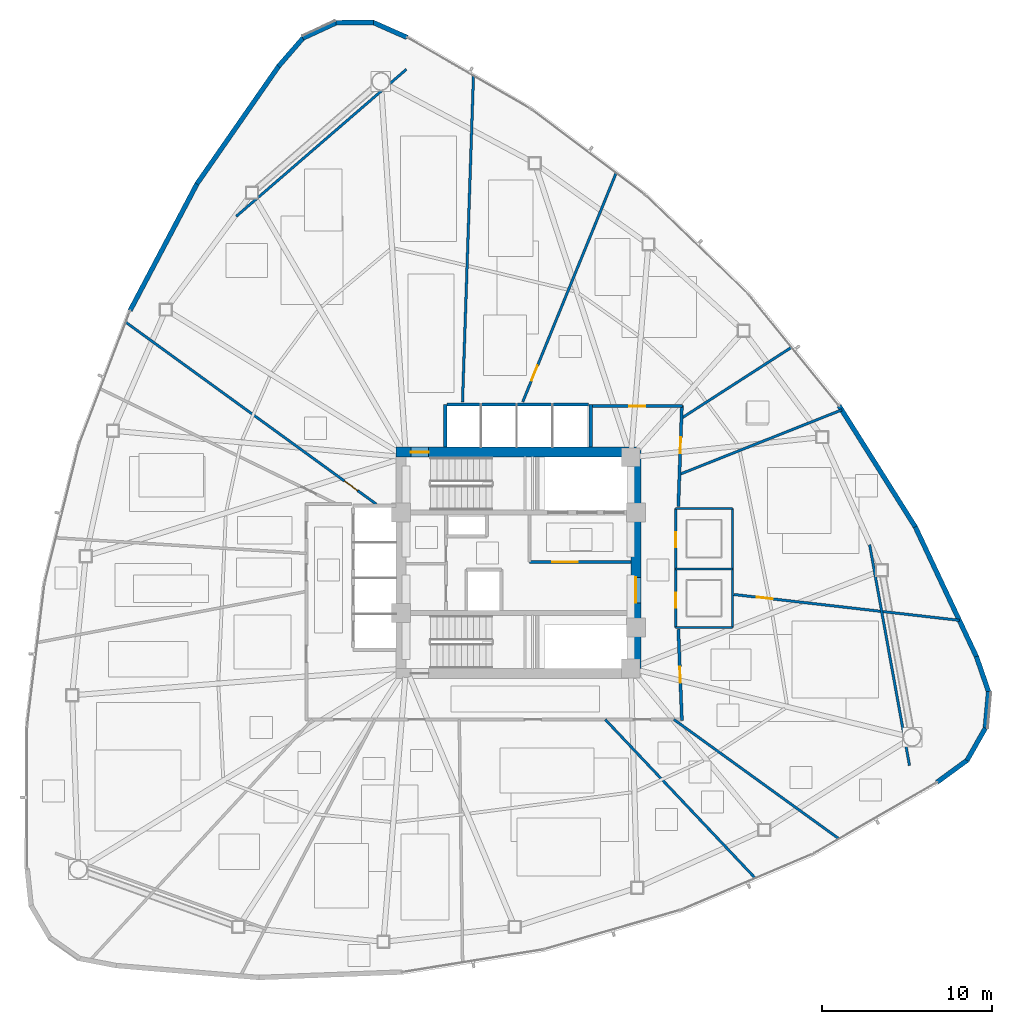
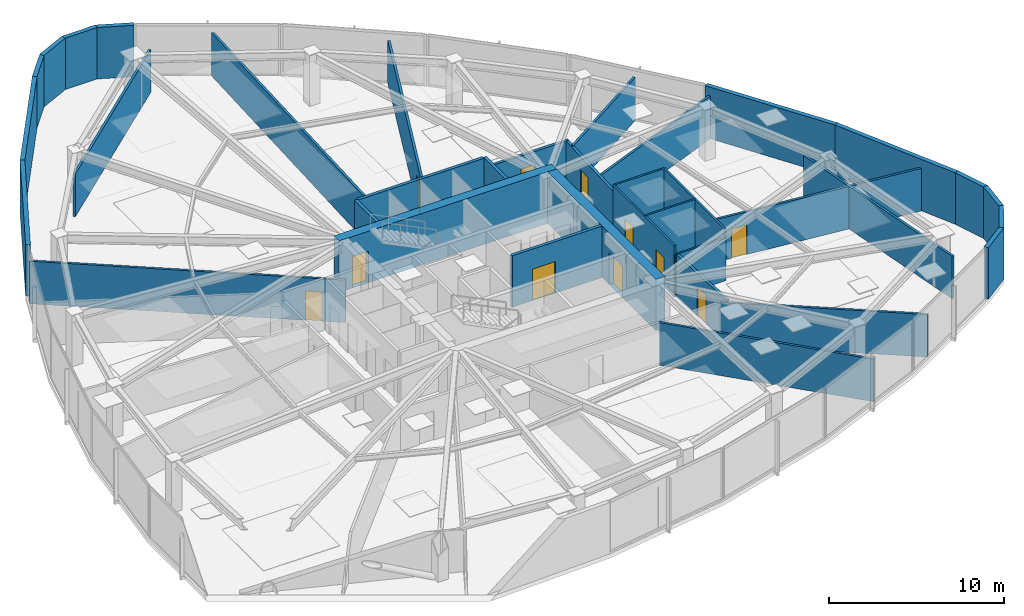
# One storey, part 12 of 17: 36 walls, 11 doors, 11 openings.
"""IFC4 building model written with IfcOpenShell, lengths in metres."""

from ifc_helpers import new_model, si_unit, direction, frame, frame_2d, origin, place, context, subcontext, project, spatial, rectangle, extrude, material, layer, layer_set, type_object, element, fill, save


model = new_model("IFC4")

# Units and contexts
model_context = context("Model", 3, precision=1e-05, world=origin(), true_north=direction((0.0, 1.0)))
body_context = subcontext(model_context, "Body", "Model", "MODEL_VIEW")
ifc_project = project(units=[si_unit("LENGTHUNIT", "METRE"), si_unit("AREAUNIT", "SQUARE_METRE"), si_unit("VOLUMEUNIT", "CUBIC_METRE"), si_unit("PLANEANGLEUNIT", "RADIAN"), si_unit("MASSUNIT", "GRAM", prefix="KILO")], contexts=[model_context])

# Site, building, storey
site_placement = place(None, origin())
site = spatial("IfcSite", under=ifc_project, at=site_placement, CompositionType="ELEMENT")
building_placement = place(site_placement, origin())
building = spatial("IfcBuilding", under=site, at=building_placement, Name="Tavelor Broadcast Tower", CompositionType="ELEMENT")
storey_placement = place(building_placement, frame((0.0, 0.0, 78.300048828125)))
storey = spatial("IfcBuildingStorey", under=building, at=storey_placement, Name="L18", CompositionType="ELEMENT", Elevation=78.300048828125)

# Wall, opening, door
ifc_material_1 = material(Name="Concrete C60/75", Category="concrete")
ifc_layer_1 = layer(ifc_material_1, 0.60009765625)
ifc_layer_set_1 = layer_set([ifc_layer_1], Name="Concrete C60/75")
wall_type_1 = type_object("IfcWallType", Name="Core Shear Wall 600 mm", PredefinedType="SHEAR", material=ifc_layer_set_1)
wall_1_placement = place(storey_placement, frame((42.800048828125, 51.5, 0.0), z_axis=(0.0, 0.0, 1.0), x_axis=(1.0, 0.0, 0.0)))
wall_1 = element("IfcWall", 1, at=wall_1_placement, inside=storey, type_object=wall_type_1, Name="L18 Central Core Shear Wall N", PredefinedType="SHEAR", context=body_context, shape_type="SweptSolid", body=[
    extrude(rectangle(XDim=14.39990234375, YDim=0.60009765625, at=frame_2d((7.199951171875, 0.0))), origin(), (0.0, 0.0, 1.0), 3.599853515625),
])
opening_1_placement = place(wall_1_placement, frame((0.8798828125, 0.0, 0.0)))
opening_1 = element("IfcOpeningElement", 2, at=opening_1_placement, cuts=wall_1, Name="Opening DR11", PredefinedType="OPENING", context=body_context, shape_type="SweptSolid", body=[
    extrude(rectangle(XDim=1.050048828125, YDim=2.199951171875, at=frame_2d((0.52490234375, 1.10009765625))), frame((0.0, 0.31005859375, 0.0), z_axis=(0.0, -1.0, 0.0), x_axis=(1.0, 0.0, 0.0)), (0.0, 0.0, 1.0), 0.6201171875),
])
ifc_material_2 = material(Name="Steel S355", Category="steel")
door_type_1 = type_object("IfcDoorType", Name="Stair Core Fire Escape Door 1050x2200", OperationType="NOTDEFINED", PredefinedType="DOOR", material=ifc_material_2)
door_1_placement = place(opening_1_placement, origin())
door_1 = element("IfcDoor", 3, at=door_1_placement, inside=storey, type_object=door_type_1, Name="L18 Stair ST1 Protected Exit Door", OperationType="SINGLE_SWING_LEFT", OverallHeight=2.199951171875, OverallWidth=1.050048828125, PredefinedType="DOOR", context=body_context, shape_type="SweptSolid", body=[
    extrude(rectangle(XDim=1.050048828125, YDim=2.199951171875, at=frame_2d((0.52490234375, 1.10009765625))), frame((0.0, 0.02490234375, 0.0), z_axis=(0.0, -1.0, 0.0), x_axis=(1.0, 0.0, 0.0)), (0.0, 0.0, 1.0), 0.050048828125),
])
fill(opening_1, door_1)

wall_2_placement = place(storey_placement, frame((56.89990234375, 38.800048828125, 0.0), z_axis=(0.0, 0.0, 1.0), x_axis=(0.0, 1.0, 0.0)))
wall_2 = element("IfcWall", 4, at=wall_2_placement, inside=storey, type_object=wall_type_1, Name="L18 Central Core Shear Wall E", PredefinedType="SHEAR", context=body_context, shape_type="SweptSolid", body=[
    extrude(rectangle(XDim=12.39990234375, YDim=0.60009765625, at=frame_2d((6.199951171875, 0.0))), origin(), (0.0, 0.0, 1.0), 3.599853515625),
])
opening_2_placement = place(wall_2_placement, frame((3.85009765625, 0.0, 0.0)))
opening_2 = element("IfcOpeningElement", 5, at=opening_2_placement, cuts=wall_2, Name="Opening DR14", PredefinedType="OPENING", context=body_context, shape_type="SweptSolid", body=[
    extrude(rectangle(XDim=1.5, YDim=2.199951171875, at=frame_2d((0.75, 1.10009765625))), frame((0.0, 0.31005859375, 0.0), z_axis=(0.0, -1.0, 0.0), x_axis=(1.0, 0.0, 0.0)), (0.0, 0.0, 1.0), 0.6201171875),
])
door_type_2 = type_object("IfcDoorType", Name="Firefighting Lobby Double Fire Door 1500x2200", OperationType="NOTDEFINED", PredefinedType="DOOR", material=ifc_material_2)
door_2_placement = place(opening_2_placement, origin())
door_2 = element("IfcDoor", 6, at=door_2_placement, inside=storey, type_object=door_type_2, Name="L18 Central Core Lobby Fire Door", OperationType="SINGLE_SWING_RIGHT", OverallHeight=2.199951171875, OverallWidth=1.5, PredefinedType="DOOR", context=body_context, shape_type="SweptSolid", body=[
    extrude(rectangle(XDim=1.5, YDim=2.199951171875, at=frame_2d((0.75, 1.10009765625))), frame((0.0, 0.02490234375, 0.0), z_axis=(0.0, -1.0, 0.0), x_axis=(1.0, 0.0, 0.0)), (0.0, 0.0, 1.0), 0.050048828125),
])
fill(opening_2, door_2)

ifc_material_3 = material(Name="Calcium Silicate Fire Board 180 mm", Category="gypsum")
ifc_layer_2 = layer(ifc_material_3, 0.179931640625)
ifc_layer_set_2 = layer_set([ifc_layer_2], Name="Calcium Silicate Fire Board 180 mm")
wall_type_2 = type_object("IfcWallType", Name="Fire-Rated Corridor Partition Wall 180 mm", PredefinedType="PARTITIONING", material=ifc_layer_set_2)
wall_3_placement = place(storey_placement, frame((54.300048828125, 54.199951171875, 0.0), z_axis=(0.0, 0.0, 1.0), x_axis=(1.0, 0.0, 0.0)))
wall_3 = element("IfcWall", 7, at=wall_3_placement, inside=storey, type_object=wall_type_2, Name="L18 Corridor Compartment Wall 01", PredefinedType="PARTITIONING", context=body_context, shape_type="SweptSolid", body=[
    extrude(rectangle(XDim=5.349853515625, YDim=0.179931640625, at=frame_2d((2.6748046875, 0.0))), origin(), (0.0, 0.0, 1.0), 2.974853515625),
])
opening_3_placement = place(wall_3_placement, frame((2.199951171875, 0.0, 0.0)))
opening_3 = element("IfcOpeningElement", 8, at=opening_3_placement, cuts=wall_3, Name="Opening DR18", PredefinedType="OPENING", context=body_context, shape_type="SweptSolid", body=[
    extrude(rectangle(XDim=0.949951171875, YDim=2.050048828125, at=frame_2d((0.47509765625, 1.02490234375))), frame((0.0, 0.10009765625, 0.0), z_axis=(0.0, -1.0, 0.0), x_axis=(1.0, 0.0, 0.0)), (0.0, 0.0, 1.0), 0.199951171875),
])
ifc_material_4 = material(Name="Timber Solid Core Hardwood", Category="wood")
door_type_3 = type_object("IfcDoorType", Name="Corridor Rated Compartment Door 950x2050", OperationType="NOTDEFINED", PredefinedType="DOOR", material=ifc_material_4)
door_3_placement = place(opening_3_placement, origin())
door_3 = element("IfcDoor", 9, at=door_3_placement, inside=storey, type_object=door_type_3, Name="L18 Standards Huddle Room Door R10", OperationType="SINGLE_SWING_RIGHT", OverallHeight=2.050048828125, OverallWidth=0.949951171875, PredefinedType="DOOR", context=body_context, shape_type="SweptSolid", body=[
    extrude(rectangle(XDim=0.949951171875, YDim=2.050048828125, at=frame_2d((0.47509765625, 1.02490234375))), frame((0.0, 0.02490234375, 0.0), z_axis=(0.0, -1.0, 0.0), x_axis=(1.0, 0.0, 0.0)), (0.0, 0.0, 1.0), 0.050048828125),
])
fill(opening_3, door_3)

wall_4_placement = place(storey_placement, frame((59.601806640625, 54.25, 0.0), z_axis=(0.0, 0.0, 1.0), x_axis=(-0.035265891834, -0.999377964973, 0.0)))
wall_4 = element("IfcWall", 10, at=wall_4_placement, inside=storey, type_object=wall_type_2, Name="L18 Corridor Compartment Wall 02", PredefinedType="PARTITIONING", context=body_context, shape_type="SweptSolid", body=[
    extrude(rectangle(XDim=5.95361328125, YDim=0.179931640625, at=frame_2d((2.976806640625, 0.0))), origin(), (0.0, 0.0, 1.0), 2.974853515625),
])
opening_4_placement = place(wall_4_placement, frame((1.876220703125, 0.0, 0.0)))
opening_4 = element("IfcOpeningElement", 11, at=opening_4_placement, cuts=wall_4, Name="Opening DR18", PredefinedType="OPENING", context=body_context, shape_type="SweptSolid", body=[
    extrude(rectangle(XDim=0.949951171875, YDim=2.050048828125, at=frame_2d((0.47509765625, 1.02490234375))), frame((0.0, 0.10009765625, 0.0), z_axis=(0.0, -1.0, 0.0), x_axis=(1.0, 0.0, 0.0)), (0.0, 0.0, 1.0), 0.199951171875),
])
door_4_placement = place(opening_4_placement, origin())
door_4 = element("IfcDoor", 12, at=door_4_placement, inside=storey, type_object=door_type_3, Name="L18 Editorial Coffee Pantry Door R11", OperationType="SINGLE_SWING_LEFT", OverallHeight=2.050048828125, OverallWidth=0.949951171875, PredefinedType="DOOR", context=body_context, shape_type="SweptSolid", body=[
    extrude(rectangle(XDim=0.949951171875, YDim=2.050048828125, at=frame_2d((0.47509765625, 1.02490234375))), frame((0.0, 0.02490234375, 0.0), z_axis=(0.0, -1.0, 0.0), x_axis=(1.0, 0.0, 0.0)), (0.0, 0.0, 1.0), 0.050048828125),
])
fill(opening_4, door_4)

wall_5_placement = place(storey_placement, frame((59.39208984375, 41.10009765625, 0.0), z_axis=(0.0, 0.0, 1.0), x_axis=(0.03921413315, -0.999230830069, 0.0)))
wall_5 = element("IfcWall", 13, at=wall_5_placement, inside=storey, type_object=wall_type_2, Name="L18 Corridor Compartment Wall 03", PredefinedType="PARTITIONING", context=body_context, shape_type="SweptSolid", body=[
    extrude(rectangle(XDim=5.354248046875, YDim=0.179931640625, at=frame_2d((2.67724609375, 0.0))), origin(), (0.0, 0.0, 1.0), 2.974853515625),
])
opening_5_placement = place(wall_5_placement, frame((2.201904296875, 0.0, 0.0)))
opening_5 = element("IfcOpeningElement", 14, at=opening_5_placement, cuts=wall_5, Name="Opening DR18", PredefinedType="OPENING", context=body_context, shape_type="SweptSolid", body=[
    extrude(rectangle(XDim=0.949951171875, YDim=2.050048828125, at=frame_2d((0.47509765625, 1.02490234375))), frame((0.0, 0.10009765625, 0.0), z_axis=(0.0, -1.0, 0.0), x_axis=(1.0, 0.0, 0.0)), (0.0, 0.0, 1.0), 0.199951171875),
])
door_5_placement = place(opening_5_placement, origin())
door_5 = element("IfcDoor", 15, at=door_5_placement, inside=storey, type_object=door_type_3, Name="L18 Broadcast Production Studio Door R13", OperationType="SINGLE_SWING_RIGHT", OverallHeight=2.050048828125, OverallWidth=0.949951171875, PredefinedType="DOOR", context=body_context, shape_type="SweptSolid", body=[
    extrude(rectangle(XDim=0.949951171875, YDim=2.050048828125, at=frame_2d((0.47509765625, 1.02490234375))), frame((0.0, 0.02490234375, 0.0), z_axis=(0.0, -1.0, 0.0), x_axis=(1.0, 0.0, 0.0)), (0.0, 0.0, 1.0), 0.050048828125),
])
fill(opening_5, door_5)

# Walls
ifc_material_5 = material(Name="Precast Concrete C40/50", Category="concrete")
ifc_layer_3 = layer(ifc_material_5, 0.280029296875)
ifc_layer_set_3 = layer_set([ifc_layer_3], Name="Precast Concrete C40/50")
wall_type_3 = type_object("IfcWallType", Name="Insulated Precast Terracotta Facade Wall 280 mm", PredefinedType="STANDARD", material=ifc_layer_set_3)
wall_6_placement = place(storey_placement, frame((43.459716796875, 75.855712890625, 0.0), z_axis=(0.0, 0.0, 1.0), x_axis=(-0.914607276656, 0.404343331203, 0.0)))
element("IfcWall", 16, at=wall_6_placement, inside=storey, type_object=wall_type_3, Name="L18 Rounded Corner Structural Cladding Pier 01", PredefinedType="STANDARD", context=body_context, shape_type="SweptSolid", body=[
    extrude(rectangle(XDim=2.196533203125, YDim=0.280029296875, at=frame_2d((1.09814453125, 0.0))), origin(), (0.0, 0.0, 1.0), 3.599853515625),
])
wall_7_placement = place(storey_placement, frame((41.4794921875, 76.738037109375, 0.0), z_axis=(0.0, 0.0, 1.0), x_axis=(-0.999968535551, -0.007932711288, 0.0)))
element("IfcWall", 17, at=wall_7_placement, inside=storey, type_object=wall_type_3, Name="L18 Rounded Corner Structural Cladding Pier 02", PredefinedType="STANDARD", context=body_context, shape_type="SweptSolid", body=[
    extrude(rectangle(XDim=2.18505859375, YDim=0.280029296875, at=frame_2d((1.092529296875, 0.0))), origin(), (0.0, 0.0, 1.0), 3.599853515625),
])
wall_8_placement = place(storey_placement, frame((39.3232421875, 76.727294921875, 0.0), z_axis=(0.0, 0.0, 1.0), x_axis=(-0.908126107748, -0.418696754735, 0.0)))
element("IfcWall", 18, at=wall_8_placement, inside=storey, type_object=wall_type_3, Name="L18 Rounded Corner Structural Cladding Pier 03", PredefinedType="STANDARD", context=body_context, shape_type="SweptSolid", body=[
    extrude(rectangle(XDim=2.184814453125, YDim=0.280029296875, at=frame_2d((1.09228515625, 0.0))), origin(), (0.0, 0.0, 1.0), 3.599853515625),
])
wall_9_placement = place(storey_placement, frame((37.3623046875, 75.830078125, 0.0), z_axis=(0.0, 0.0, 1.0), x_axis=(-0.655351461556, -0.755324077358, 0.0)))
element("IfcWall", 19, at=wall_9_placement, inside=storey, type_object=wall_type_3, Name="L18 Rounded Corner Structural Cladding Pier 04", PredefinedType="STANDARD", context=body_context, shape_type="SweptSolid", body=[
    extrude(rectangle(XDim=2.20751953125, YDim=0.280029296875, at=frame_2d((1.103759765625, 0.0))), origin(), (0.0, 0.0, 1.0), 3.599853515625),
])
wall_10_placement = place(storey_placement, frame((35.933837890625, 74.186279296875, 0.0), z_axis=(0.0, 0.0, 1.0), x_axis=(-0.570377390301, -0.821382756475, 0.0)))
element("IfcWall", 20, at=wall_10_placement, inside=storey, type_object=wall_type_3, Name="L18 Rounded Corner Structural Cladding Pier 05", PredefinedType="STANDARD", context=body_context, shape_type="SweptSolid", body=[
    extrude(rectangle(XDim=8.445556640625, YDim=0.280029296875, at=frame_2d((4.22265625, 0.0))), origin(), (0.0, 0.0, 1.0), 3.599853515625),
])
wall_11_placement = place(storey_placement, frame((31.13232421875, 67.27490234375, 0.0), z_axis=(0.0, 0.0, 1.0), x_axis=(-0.466778115756, -0.884374462912, 0.0)))
element("IfcWall", 21, at=wall_11_placement, inside=storey, type_object=wall_type_3, Name="L18 Rounded Corner Structural Cladding Pier 06", PredefinedType="STANDARD", context=body_context, shape_type="SweptSolid", body=[
    extrude(rectangle(XDim=8.433837890625, YDim=0.280029296875, at=frame_2d((4.216796875, 0.0))), origin(), (0.0, 0.0, 1.0), 3.599853515625),
])
wall_12_placement = place(storey_placement, frame((74.592041015625, 32.118408203125, 0.0), z_axis=(0.0, 0.0, 1.0), x_axis=(0.807446100246, 0.589941348948, 0.0)))
element("IfcWall", 22, at=wall_12_placement, inside=storey, type_object=wall_type_3, Name="L18 Rounded Corner Structural Cladding Pier 21", PredefinedType="STANDARD", context=body_context, shape_type="SweptSolid", body=[
    extrude(rectangle(XDim=2.19677734375, YDim=0.280029296875, at=frame_2d((1.098388671875, 0.0))), origin(), (0.0, 0.0, 1.0), 3.599853515625),
])
for number, where, z_axis, x_axis, name in (
    (23, (76.34619140625, 33.392333984375, 0.0), (0.0, 0.0, 1.0), (0.493091508844, 0.869977450228, 0.0), "L18 Rounded Corner Structural Cladding Pier 22"),
    (24, (77.4150390625, 35.26513671875, 0.0), (0.0, 0.0, 1.0), (0.091512946938, 0.995803886587, 0.0), "L18 Rounded Corner Structural Cladding Pier 23"),
):
    element("IfcWall", number, at=place(storey_placement, frame(where, z_axis=z_axis, x_axis=x_axis)), inside=storey, type_object=wall_type_3, Name=name, PredefinedType="STANDARD", context=body_context, shape_type="SweptSolid", body=[
        extrude(rectangle(XDim=2.18505859375, YDim=0.280029296875, at=frame_2d((1.092529296875, 0.0))), origin(), (0.0, 0.0, 1.0), 3.599853515625),
    ])
wall_13_placement = place(storey_placement, frame((77.618408203125, 37.411865234375, 0.0), z_axis=(0.0, 0.0, 1.0), x_axis=(-0.326396284493, 0.945233021783, 0.0)))
element("IfcWall", 25, at=wall_13_placement, inside=storey, type_object=wall_type_3, Name="L18 Rounded Corner Structural Cladding Pier 24", PredefinedType="STANDARD", context=body_context, shape_type="SweptSolid", body=[
    extrude(rectangle(XDim=2.207275390625, YDim=0.280029296875, at=frame_2d((1.103515625, 0.0))), origin(), (0.0, 0.0, 1.0), 3.599853515625),
])
wall_14_placement = place(storey_placement, frame((76.9091796875, 39.470703125, 0.0), z_axis=(0.0, 0.0, 1.0), x_axis=(-0.426150605753, 0.904652232196, 0.0)))
element("IfcWall", 26, at=wall_14_placement, inside=storey, type_object=wall_type_3, Name="L18 Rounded Corner Structural Cladding Pier 25", PredefinedType="STANDARD", context=body_context, shape_type="SweptSolid", body=[
    extrude(rectangle(XDim=8.445556640625, YDim=0.280029296875, at=frame_2d((4.22265625, 0.0))), origin(), (0.0, 0.0, 1.0), 3.599853515625),
])
wall_15_placement = place(storey_placement, frame((73.324462890625, 47.0849609375, 0.0), z_axis=(0.0, 0.0, 1.0), x_axis=(-0.53250765481, 0.846425187225, 0.0)))
element("IfcWall", 27, at=wall_15_placement, inside=storey, type_object=wall_type_3, Name="L18 Rounded Corner Structural Cladding Pier 26", PredefinedType="STANDARD", context=body_context, shape_type="SweptSolid", body=[
    extrude(rectangle(XDim=8.43359375, YDim=0.280029296875, at=frame_2d((4.216796875, 0.0))), origin(), (0.0, 0.0, 1.0), 3.599853515625),
])
ifc_material_6 = material(Name="Gypsum Acoustic Plasterboard 150 mm", Category="gypsum")
ifc_layer_4 = layer(ifc_material_6, 0.14990234375)
ifc_layer_set_4 = layer_set([ifc_layer_4], Name="Gypsum Acoustic Plasterboard 150 mm")
wall_type_4 = type_object("IfcWallType", Name="Interior Acoustic Partition Wall 150 mm", PredefinedType="PARTITIONING", material=ifc_layer_set_4)
wall_16_placement = place(storey_placement, frame((43.42138671875, 73.9794921875, 0.0), z_axis=(0.0, 0.0, 1.0), x_axis=(-0.756659135409, -0.653809569218, 0.0)))
element("IfcWall", 28, at=wall_16_placement, inside=storey, type_object=wall_type_4, Name="L18 Corner Tube Brace Furring Wall 1", PredefinedType="PARTITIONING", context=body_context, shape_type="SweptSolid", body=[
    extrude(rectangle(XDim=13.200439453125, YDim=0.14990234375, at=frame_2d((6.60009765625, 0.0))), origin(), (0.0, 0.0, 1.0), 2.974853515625),
])
wall_17_placement = place(storey_placement, frame((72.96923828125, 33.09130859375, 0.0), z_axis=(0.0, 0.0, 1.0), x_axis=(-0.177742578179, 0.984077017261, 0.0)))
element("IfcWall", 29, at=wall_17_placement, inside=storey, type_object=wall_type_4, Name="L18 Corner Tube Brace Furring Wall 3", PredefinedType="PARTITIONING", context=body_context, shape_type="SweptSolid", body=[
    extrude(rectangle(XDim=13.179443359375, YDim=0.14990234375, at=frame_2d((6.58984375, 0.0))), origin(), (0.0, 0.0, 1.0), 2.974853515625),
])
wall_18_placement = place(storey_placement, frame((55.09814453125, 35.800048828125, 0.0), z_axis=(0.0, 0.0, 1.0), x_axis=(0.687012477337, -0.726645619256, 0.0)))
element("IfcWall", 30, at=wall_18_placement, inside=storey, type_object=wall_type_4, Name="L18 Radial Compartment Wall 07", PredefinedType="PARTITIONING", context=body_context, shape_type="SweptSolid", body=[
    extrude(rectangle(XDim=12.843505859375, YDim=0.14990234375, at=frame_2d((6.421875, 0.0))), origin(), (0.0, 0.0, 1.0), 2.974853515625),
])
wall_19_placement = place(storey_placement, frame((59.130126953125, 35.800048828125, 0.0), z_axis=(0.0, 0.0, 1.0), x_axis=(0.810498534466, -0.585740664141, 0.0)))
element("IfcWall", 31, at=wall_19_placement, inside=storey, type_object=wall_type_4, Name="L18 Radial Compartment Wall 08", PredefinedType="PARTITIONING", context=body_context, shape_type="SweptSolid", body=[
    extrude(rectangle(XDim=11.9736328125, YDim=0.14990234375, at=frame_2d((5.98681640625, 0.0))), origin(), (0.0, 0.0, 1.0), 2.974853515625),
])

# Wall, opening, door
wall_20_placement = place(storey_placement, frame((62.64990234375, 43.139404296875, 0.0), z_axis=(0.0, 0.0, 1.0), x_axis=(0.993507762736, -0.113764341437, 0.0)))
wall_20 = element("IfcWall", 32, at=wall_20_placement, inside=storey, type_object=wall_type_4, Name="L18 Radial Compartment Wall 09", PredefinedType="PARTITIONING", context=body_context, shape_type="SweptSolid", body=[
    extrude(rectangle(XDim=13.343994140625, YDim=0.14990234375, at=frame_2d((6.671875, 0.0))), origin(), (0.0, 0.0, 1.0), 2.974853515625),
])
opening_6_placement = place(wall_20_placement, frame((1.35009765625, 0.0, 0.0)))
opening_6 = element("IfcOpeningElement", 33, at=opening_6_placement, cuts=wall_20, Name="Opening DR18", PredefinedType="OPENING", context=body_context, shape_type="SweptSolid", body=[
    extrude(rectangle(XDim=0.949951171875, YDim=2.050048828125, at=frame_2d((0.47509765625, 1.02490234375))), frame((0.0, 0.0849609375, 0.0), z_axis=(0.0, -1.0, 0.0), x_axis=(1.0, 0.0, 0.0)), (0.0, 0.0, 1.0), 0.169921875),
])
door_6_placement = place(opening_6_placement, origin())
door_6 = element("IfcDoor", 34, at=door_6_placement, inside=storey, type_object=door_type_3, Name="L18 Suite Connecting Door 12", OperationType="SINGLE_SWING_LEFT", OverallHeight=2.050048828125, OverallWidth=0.949951171875, PredefinedType="DOOR", context=body_context, shape_type="SweptSolid", body=[
    extrude(rectangle(XDim=0.949951171875, YDim=2.050048828125, at=frame_2d((0.47509765625, 1.02490234375))), frame((0.0, 0.02490234375, 0.0), z_axis=(0.0, -1.0, 0.0), x_axis=(1.0, 0.0, 0.0)), (0.0, 0.0, 1.0), 0.050048828125),
])
fill(opening_6, door_6)

# Walls
wall_21_placement = place(storey_placement, frame((59.45849609375, 50.191162109375, 0.0), z_axis=(0.0, 0.0, 1.0), x_axis=(0.929263627869, 0.369417257204, 0.0)))
element("IfcWall", 35, at=wall_21_placement, inside=storey, type_object=wall_type_4, Name="L18 Radial Compartment Wall 10", PredefinedType="PARTITIONING", context=body_context, shape_type="SweptSolid", body=[
    extrude(rectangle(XDim=10.26416015625, YDim=0.14990234375, at=frame_2d((5.132080078125, 0.0))), origin(), (0.0, 0.0, 1.0), 2.974853515625),
])
wall_22_placement = place(storey_placement, frame((59.574951171875, 53.490478515625, 0.0), z_axis=(0.0, 0.0, 1.0), x_axis=(0.840572318157, 0.541699342762, 0.0)))
element("IfcWall", 36, at=wall_22_placement, inside=storey, type_object=wall_type_4, Name="L18 Radial Compartment Wall 11", PredefinedType="PARTITIONING", context=body_context, shape_type="SweptSolid", body=[
    extrude(rectangle(XDim=7.701416015625, YDim=0.14990234375, at=frame_2d((3.8505859375, 0.0))), origin(), (0.0, 0.0, 1.0), 3.02490234375),
])

# Wall, opening, door
wall_23_placement = place(storey_placement, frame((50.255126953125, 54.449951171875, 0.0), z_axis=(0.0, 0.0, 1.0), x_axis=(0.377744353623, 0.92590993261, 0.0)))
wall_23 = element("IfcWall", 37, at=wall_23_placement, inside=storey, type_object=wall_type_4, Name="L18 Radial Compartment Wall 12", PredefinedType="PARTITIONING", context=body_context, shape_type="SweptSolid", body=[
    extrude(rectangle(XDim=14.52197265625, YDim=0.14990234375, at=frame_2d((7.260986328125, 0.0))), origin(), (0.0, 0.0, 1.0), 2.974853515625),
])
opening_7_placement = place(wall_23_placement, frame((1.35009765625, 0.0, 0.0)))
opening_7 = element("IfcOpeningElement", 38, at=opening_7_placement, cuts=wall_23, Name="Opening DR18", PredefinedType="OPENING", context=body_context, shape_type="SweptSolid", body=[
    extrude(rectangle(XDim=0.949951171875, YDim=2.050048828125, at=frame_2d((0.47509765625, 1.02490234375))), frame((0.0, 0.0849609375, 0.0), z_axis=(0.0, -1.0, 0.0), x_axis=(1.0, 0.0, 0.0)), (0.0, 0.0, 1.0), 0.169921875),
])
door_7_placement = place(opening_7_placement, origin())
door_7 = element("IfcDoor", 39, at=door_7_placement, inside=storey, type_object=door_type_3, Name="L18 Suite Connecting Door 9", OperationType="SINGLE_SWING_RIGHT", OverallHeight=2.050048828125, OverallWidth=0.949951171875, PredefinedType="DOOR", context=body_context, shape_type="SweptSolid", body=[
    extrude(rectangle(XDim=0.949951171875, YDim=2.050048828125, at=frame_2d((0.47509765625, 1.02490234375))), frame((0.0, 0.02490234375, 0.0), z_axis=(0.0, -1.0, 0.0), x_axis=(1.0, 0.0, 0.0)), (0.0, 0.0, 1.0), 0.050048828125),
])
fill(opening_7, door_7)

# Wall
wall_24_placement = place(storey_placement, frame((46.7177734375, 54.449951171875, 0.0), z_axis=(0.0, 0.0, 1.0), x_axis=(0.033591693119, 0.999435639825, 0.0)))
element("IfcWall", 40, at=wall_24_placement, inside=storey, type_object=wall_type_4, Name="L18 Radial Compartment Wall 13", PredefinedType="PARTITIONING", context=body_context, shape_type="SweptSolid", body=[
    extrude(rectangle(XDim=19.172607421875, YDim=0.14990234375, at=frame_2d((9.58642578125, 0.0))), origin(), (0.0, 0.0, 1.0), 3.02490234375),
])

# Wall, opening, door
wall_25_placement = place(storey_placement, frame((41.648681640625, 48.449951171875, 0.0), z_axis=(0.0, 0.0, 1.0), x_axis=(-0.809164130734, 0.587582683146, 0.0)))
wall_25 = element("IfcWall", 41, at=wall_25_placement, inside=storey, type_object=wall_type_4, Name="L18 Radial Compartment Wall 14", PredefinedType="PARTITIONING", context=body_context, shape_type="SweptSolid", body=[
    extrude(rectangle(XDim=18.193115234375, YDim=0.14990234375, at=frame_2d((9.0966796875, 0.0))), origin(), (0.0, 0.0, 1.0), 2.974853515625),
])
opening_8_placement = place(wall_25_placement, frame((1.35009765625, 0.0, 0.0)))
opening_8 = element("IfcOpeningElement", 42, at=opening_8_placement, cuts=wall_25, Name="Opening DR18", PredefinedType="OPENING", context=body_context, shape_type="SweptSolid", body=[
    extrude(rectangle(XDim=0.949951171875, YDim=2.050048828125, at=frame_2d((0.47509765625, 1.02490234375))), frame((0.0, 0.0849609375, 0.0), z_axis=(0.0, -1.0, 0.0), x_axis=(1.0, 0.0, 0.0)), (0.0, 0.0, 1.0), 0.169921875),
])
door_8_placement = place(opening_8_placement, origin())
door_8 = element("IfcDoor", 43, at=door_8_placement, inside=storey, type_object=door_type_3, Name="L18 Suite Connecting Door 8", OperationType="SINGLE_SWING_LEFT", OverallHeight=2.050048828125, OverallWidth=0.949951171875, PredefinedType="DOOR", context=body_context, shape_type="SweptSolid", body=[
    extrude(rectangle(XDim=0.949951171875, YDim=2.050048828125, at=frame_2d((0.47509765625, 1.02490234375))), frame((0.0, 0.02490234375, 0.0), z_axis=(0.0, -1.0, 0.0), x_axis=(1.0, 0.0, 0.0)), (0.0, 0.0, 1.0), 0.050048828125),
])
fill(opening_8, door_8)

# Walls
ifc_material_7 = material(Name="Concrete Blockwork 200 mm", Category="masonry")
ifc_layer_5 = layer(ifc_material_7, 0.199951171875)
ifc_layer_set_5 = layer_set([ifc_layer_5], Name="Concrete Blockwork 200 mm")
wall_type_5 = type_object("IfcWallType", Name="Lift Hoistway Rated Front Wall 200 mm", PredefinedType="PARTITIONING", material=ifc_layer_set_5)
wall_26_placement = place(storey_placement, frame((45.820068359375, 54.300048828125, 0.0), z_axis=(0.0, 0.0, 1.0), x_axis=(1.0, 0.0, 0.0)))
element("IfcWall", 44, at=wall_26_placement, inside=storey, type_object=wall_type_5, Name="L18 High-Rise Lift Hoistway Front Wall", PredefinedType="PARTITIONING", context=body_context, shape_type="SweptSolid", body=[
    extrude(rectangle(XDim=8.309814453125, YDim=0.199951171875, at=frame_2d((4.15478515625, 0.0))), origin(), (0.0, 0.0, 1.0), 3.599853515625),
])
ifc_layer_6 = layer(ifc_material_7, 0.199951171875)
ifc_layer_set_6 = layer_set([ifc_layer_6], Name="Concrete Blockwork 200 mm")
wall_type_6 = type_object("IfcWallType", Name="Lift and Riser Shaft Enclosure Wall 200 mm", PredefinedType="PARTITIONING", material=ifc_layer_set_6)
for number, where, z_axis, x_axis, name in (
    (45, (45.699951171875, 51.800048828125, 0.0), (0.0, 0.0, 1.0), (0.0, 1.0, 0.0), "L18 High-Rise Lift Shaft West Wall"),
    (46, (54.25, 51.800048828125, 0.0), (0.0, 0.0, 1.0), (0.0, 1.0, 0.0), "L18 High-Rise Lift Shaft East Wall"),
):
    element("IfcWall", number, at=place(storey_placement, frame(where, z_axis=z_axis, x_axis=x_axis)), inside=storey, type_object=wall_type_6, Name=name, PredefinedType="PARTITIONING", context=body_context, shape_type="SweptSolid", body=[
        extrude(rectangle(XDim=2.5, YDim=0.199951171875, at=frame_2d((1.25, 0.0))), origin(), (0.0, 0.0, 1.0), 3.599853515625),
    ])

# Wall, opening, door
wall_27_placement = place(storey_placement, frame((50.64990234375, 45.050048828125, 0.0), z_axis=(0.0, 0.0, 1.0), x_axis=(1.0, 0.0, 0.0)))
wall_27 = element("IfcWall", 47, at=wall_27_placement, inside=storey, type_object=wall_type_6, Name="L18 Firefighting Lobby South Wall", PredefinedType="PARTITIONING", context=body_context, shape_type="SweptSolid", body=[
    extrude(rectangle(XDim=5.9501953125, YDim=0.199951171875, at=frame_2d((2.97509765625, 0.0))), origin(), (0.0, 0.0, 1.0), 3.599853515625),
])
opening_9_placement = place(wall_27_placement, frame((1.35009765625, 0.0, 0.0)))
opening_9 = element("IfcOpeningElement", 48, at=opening_9_placement, cuts=wall_27, Name="Opening DR14", PredefinedType="OPENING", context=body_context, shape_type="SweptSolid", body=[
    extrude(rectangle(XDim=1.5, YDim=2.199951171875, at=frame_2d((0.75, 1.10009765625))), frame((0.0, 0.10986328125, 0.0), z_axis=(0.0, -1.0, 0.0), x_axis=(1.0, 0.0, 0.0)), (0.0, 0.0, 1.0), 0.219970703125),
])
door_9_placement = place(opening_9_placement, origin())
door_9 = element("IfcDoor", 49, at=door_9_placement, inside=storey, type_object=door_type_2, Name="L18 Firefighting Lobby Compartment Door", OperationType="SINGLE_SWING_LEFT", OverallHeight=2.199951171875, OverallWidth=1.5, PredefinedType="DOOR", context=body_context, shape_type="SweptSolid", body=[
    extrude(rectangle(XDim=1.5, YDim=2.199951171875, at=frame_2d((0.75, 1.10009765625))), frame((0.0, 0.02490234375, 0.0), z_axis=(0.0, -1.0, 0.0), x_axis=(1.0, 0.0, 0.0)), (0.0, 0.0, 1.0), 0.050048828125),
])
fill(opening_9, door_9)

# Wall, openings, doors
ifc_material_8 = material(Name="Moisture-Resistant Plasterboard 120 mm", Category="gypsum")
ifc_layer_7 = layer(ifc_material_8, 0.1201171875)
ifc_layer_set_7 = layer_set([ifc_layer_7], Name="Moisture-Resistant Plasterboard 120 mm")
wall_type_7 = type_object("IfcWallType", Name="Moisture-Resistant Wet-Room Partition 120 mm", PredefinedType="PARTITIONING", material=ifc_layer_set_7)
wall_28_placement = place(storey_placement, frame((59.239990234375, 41.199951171875, 0.0), z_axis=(0.0, 0.0, 1.0), x_axis=(0.0, 1.0, 0.0)))
wall_28 = element("IfcWall", 50, at=wall_28_placement, inside=storey, type_object=wall_type_7, Name="L18 Floor Washrooms West Wall", PredefinedType="PARTITIONING", context=body_context, shape_type="SweptSolid", body=[
    extrude(rectangle(XDim=7.0, YDim=0.1201171875, at=frame_2d((3.5, 0.0))), origin(), (0.0, 0.0, 1.0), 3.599853515625),
])
opening_10_placement = place(wall_28_placement, frame((1.14990234375, 0.0, 0.0)))
opening_10 = element("IfcOpeningElement", 51, at=opening_10_placement, cuts=wall_28, Name="Opening DR32", PredefinedType="OPENING", context=body_context, shape_type="SweptSolid", body=[
    extrude(rectangle(XDim=0.89990234375, YDim=2.050048828125, at=frame_2d((0.449951171875, 1.02490234375))), frame((0.0, 0.070068359375, 0.0), z_axis=(0.0, -1.0, 0.0), x_axis=(1.0, 0.0, 0.0)), (0.0, 0.0, 1.0), 0.14013671875),
])
opening_11_placement = place(wall_28_placement, frame((4.699951171875, 0.0, 0.0)))
opening_11 = element("IfcOpeningElement", 52, at=opening_11_placement, cuts=wall_28, Name="Opening DR32", PredefinedType="OPENING", context=body_context, shape_type="SweptSolid", body=[
    extrude(rectangle(XDim=0.89990234375, YDim=2.050048828125, at=frame_2d((0.449951171875, 1.02490234375))), frame((0.0, 0.070068359375, 0.0), z_axis=(0.0, -1.0, 0.0), x_axis=(1.0, 0.0, 0.0)), (0.0, 0.0, 1.0), 0.14013671875),
])
door_type_4 = type_object("IfcDoorType", Name="Accessible Washroom Door 900x2050", OperationType="NOTDEFINED", PredefinedType="DOOR", material=ifc_material_4)
door_10_placement = place(opening_10_placement, origin())
door_10 = element("IfcDoor", 53, at=door_10_placement, inside=storey, type_object=door_type_4, Name="L18 Accessible WC Door", OperationType="SINGLE_SWING_LEFT", OverallHeight=2.050048828125, OverallWidth=0.89990234375, PredefinedType="DOOR", context=body_context, shape_type="SweptSolid", body=[
    extrude(rectangle(XDim=0.89990234375, YDim=2.050048828125, at=frame_2d((0.449951171875, 1.02490234375))), frame((0.0, 0.02490234375, 0.0), z_axis=(0.0, -1.0, 0.0), x_axis=(1.0, 0.0, 0.0)), (0.0, 0.0, 1.0), 0.050048828125),
])
fill(opening_10, door_10)
door_11_placement = place(opening_11_placement, origin())
door_11 = element("IfcDoor", 54, at=door_11_placement, inside=storey, type_object=door_type_4, Name="L18 Staff Washroom WC Door", OperationType="SINGLE_SWING_RIGHT", OverallHeight=2.050048828125, OverallWidth=0.89990234375, PredefinedType="DOOR", context=body_context, shape_type="SweptSolid", body=[
    extrude(rectangle(XDim=0.89990234375, YDim=2.050048828125, at=frame_2d((0.449951171875, 1.02490234375))), frame((0.0, 0.02490234375, 0.0), z_axis=(0.0, -1.0, 0.0), x_axis=(1.0, 0.0, 0.0)), (0.0, 0.0, 1.0), 0.050048828125),
])
fill(opening_11, door_11)

# Walls
wall_29_placement = place(storey_placement, frame((59.239990234375, 41.199951171875, 0.0), z_axis=(0.0, 0.0, 1.0), x_axis=(1.0, 0.0, 0.0)))
element("IfcWall", 55, at=wall_29_placement, inside=storey, type_object=wall_type_7, Name="L18 Floor Washrooms South Wall", PredefinedType="PARTITIONING", context=body_context, shape_type="SweptSolid", body=[
    extrude(rectangle(XDim=3.340087890625, YDim=0.1201171875, at=frame_2d((1.669921875, 0.0))), origin(), (0.0, 0.0, 1.0), 2.974853515625),
])
for number, where, z_axis, x_axis, name in (
    (56, (59.239990234375, 44.64990234375, 0.0), (0.0, 0.0, 1.0), (1.0, 0.0, 0.0), "L18 Floor Washrooms Divider Wall"),
    (57, (59.239990234375, 48.199951171875, 0.0), (0.0, 0.0, 1.0), (1.0, 0.0, 0.0), "L18 Floor Washrooms North Wall"),
):
    element("IfcWall", number, at=place(storey_placement, frame(where, z_axis=z_axis, x_axis=x_axis)), inside=storey, type_object=wall_type_7, Name=name, PredefinedType="PARTITIONING", context=body_context, shape_type="SweptSolid", body=[
        extrude(rectangle(XDim=3.340087890625, YDim=0.1201171875, at=frame_2d((1.669921875, 0.0))), origin(), (0.0, 0.0, 1.0), 3.599853515625),
    ])
wall_30_placement = place(storey_placement, frame((62.580078125, 41.199951171875, 0.0), z_axis=(0.0, 0.0, 1.0), x_axis=(0.0, 1.0, 0.0)))
element("IfcWall", 58, at=wall_30_placement, inside=storey, type_object=wall_type_7, Name="L18 Floor Washrooms East Wall", PredefinedType="PARTITIONING", context=body_context, shape_type="SweptSolid", body=[
    extrude(rectangle(XDim=7.0, YDim=0.1201171875, at=frame_2d((3.5, 0.0))), origin(), (0.0, 0.0, 1.0), 3.599853515625),
])

save(model, "model.ifc")
